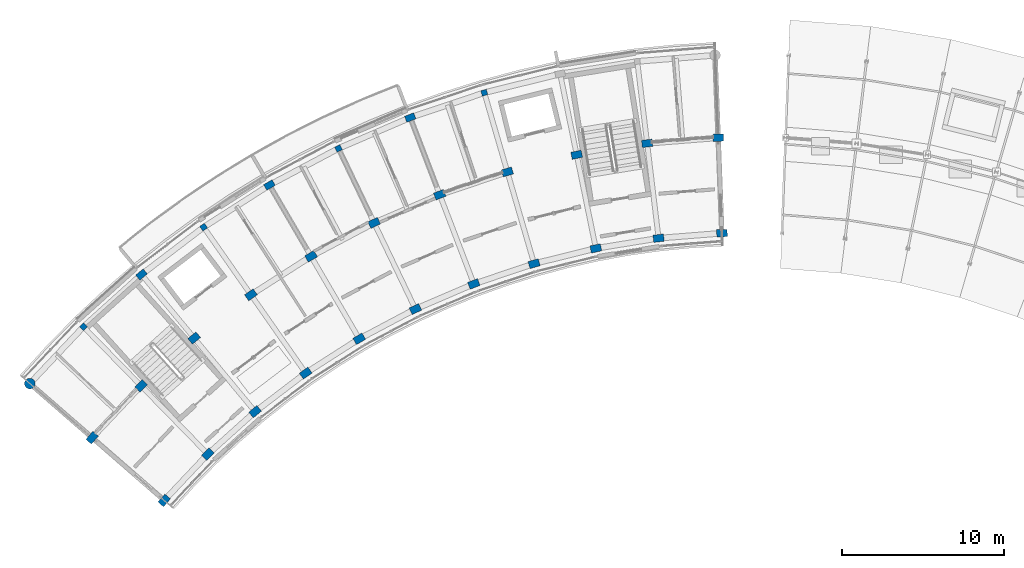
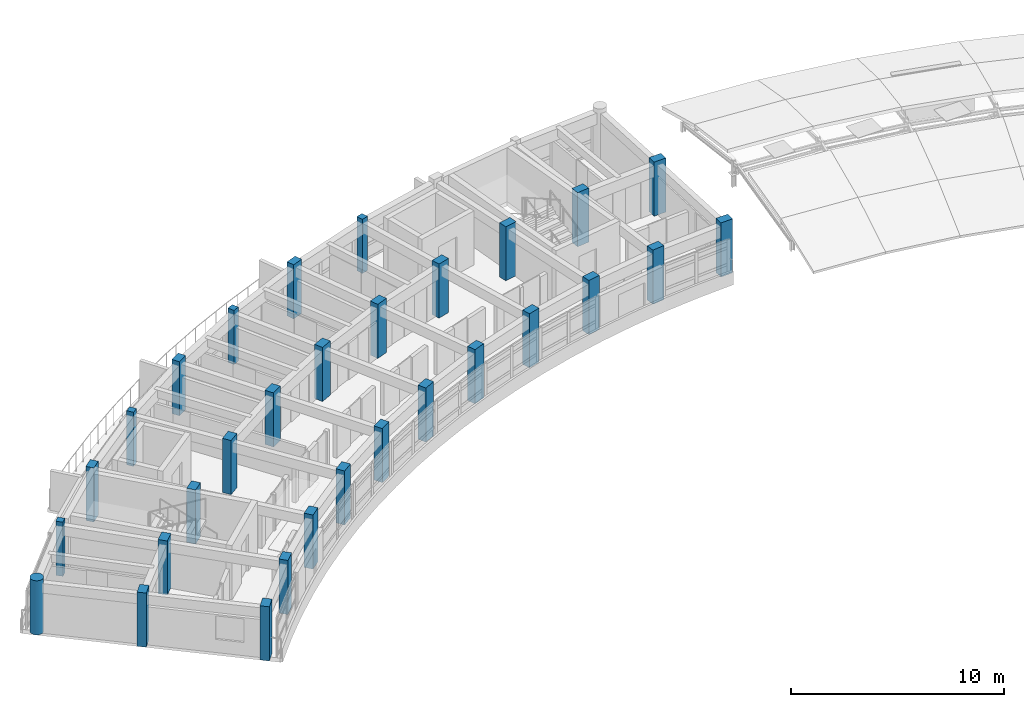
# One storey, part 1 of 20: 30 columns.
"""IFC4 building model written with IfcOpenShell, lengths in metres."""

from ifc_helpers import new_model, si_unit, direction, frame, origin, origin_2d, place, context, subcontext, project, spatial, rectangle, circle, extrude, material, material_profile, profile_set, type_object, element, save


model = new_model("IFC4")

# Units and contexts
model_context = context("Model", 3, precision=1e-05, world=origin(), true_north=direction((0.0, 1.0)))
body_context = subcontext(model_context, "Body", "Model", "MODEL_VIEW")
ifc_project = project(units=[si_unit("LENGTHUNIT", "METRE"), si_unit("AREAUNIT", "SQUARE_METRE"), si_unit("VOLUMEUNIT", "CUBIC_METRE"), si_unit("PLANEANGLEUNIT", "RADIAN"), si_unit("MASSUNIT", "GRAM", prefix="KILO")], contexts=[model_context])

# Site, building, storey
site_placement = place(None, origin())
site = spatial("IfcSite", under=ifc_project, at=site_placement, CompositionType="ELEMENT")
building_placement = place(site_placement, origin())
building = spatial("IfcBuilding", under=site, at=building_placement, Name="Zimvara Arc Housing Community", CompositionType="ELEMENT")
storey_placement = place(building_placement, frame((0.0, 0.0, 39.10009765625)))
storey = spatial("IfcBuildingStorey", under=building, at=storey_placement, Name="L12", CompositionType="ELEMENT", Elevation=39.10009765625)

# Columns
ifc_material_1 = material(Name="Concrete C40/50", Category="concrete")
ifc_material_profile_1 = material_profile(ifc_material_1, rectangle(XDim=0.35009765625, YDim=0.35009765625, at=origin_2d()), Name="RC 350x350")
ifc_profile_set_1 = profile_set([ifc_material_profile_1], Name="Concrete C40/50")
column_type_1 = type_object("IfcColumnType", Name="COL-RC-350x350", PredefinedType="COLUMN", material=ifc_profile_set_1)
for number, where, z_axis, x_axis, name in (
    (1, (3.862548828125, 86.625732421875, 0.0), (0.0, 0.0, 1.0), (-0.698665066769, 0.715448897181, 0.0), "col:blkA:L12:b1:r3"),
    (2, (11.261474609375, 92.755126953125, 0.0), (0.0, 0.0, 1.0), (-0.573004420611, 0.819552276527, 0.0), "col:blkA:L12:b3:r3"),
    (3, (19.558837890625, 97.599853515625, 0.0), (0.0, 0.0, 1.0), (-0.432085748802, 0.901832526405, 0.0), "col:blkA:L12:b5:r3"),
    (4, (28.533447265625, 101.030517578125, 0.0), (0.0, 0.0, 1.0), (-0.27966144946, 0.96009867914, 0.0), "col:blkA:L12:b7:r3"),
):
    element("IfcColumn", number, at=place(storey_placement, frame(where, z_axis=z_axis, x_axis=x_axis)), inside=storey, type_object=column_type_1, Name=name, PredefinedType="COLUMN", context=body_context, shape_type="SweptSolid", body=[
        extrude(rectangle(XDim=0.35009765625, YDim=0.35009765625, at=origin_2d()), origin(), (0.0, 0.0, 1.0), 3.099853515625),
    ])
ifc_material_2 = material(Name="Concrete C40/50", Category="concrete")
ifc_material_profile_2 = material_profile(ifc_material_2, rectangle(XDim=0.39990234375, YDim=0.60009765625, at=origin_2d()), Name="RC 400x600")
ifc_profile_set_2 = profile_set([ifc_material_profile_2], Name="Concrete C40/50")
column_type_2 = type_object("IfcColumnType", Name="COL-RC-400x600", PredefinedType="COLUMN", material=ifc_profile_set_2)
for number, where, z_axis, x_axis, name in (
    (5, (7.436767578125, 89.841552734375, 0.0), (0.0, 0.0, 1.0), (-0.637961754089, 0.770068049148, 0.0), "col:blkA:L12:b2:r3"),
    (6, (15.311279296875, 95.34716796875, 0.0), (0.0, 0.0, 1.0), (-0.504226211181, 0.863571611366, 0.0), "col:blkA:L12:b4:r3"),
    (7, (23.97607421875, 99.49853515625, 0.0), (0.0, 0.0, 1.0), (-0.357064076459, 0.934079892355, 0.0), "col:blkA:L12:b6:r3"),
):
    element("IfcColumn", number, at=place(storey_placement, frame(where, z_axis=z_axis, x_axis=x_axis)), inside=storey, type_object=column_type_2, Name=name, PredefinedType="COLUMN", context=body_context, shape_type="SweptSolid", body=[
        extrude(rectangle(XDim=0.39990234375, YDim=0.60009765625, at=origin_2d()), origin(), (0.0, 0.0, 1.0), 3.099853515625),
    ])
ifc_material_3 = material(Name="Concrete C40/50", Category="concrete")
ifc_material_profile_3 = material_profile(ifc_material_3, rectangle(XDim=0.449951171875, YDim=0.64990234375, at=origin_2d()), Name="RC 450x650")
ifc_profile_set_3 = profile_set([ifc_material_profile_3], Name="Concrete C40/50")
column_type_3 = type_object("IfcColumnType", Name="COL-RC-450x650", PredefinedType="COLUMN", material=ifc_profile_set_3)
for number, where, z_axis, x_axis, name in (
    (8, (8.834228515625, 75.938232421875, 0.0), (0.0, 0.0, 1.0), (-0.754709580223, 0.656059028991, 0.0), "col:blkA:L12:b0:r1"),
    (9, (4.396728515625, 79.7958984375, 0.0), (0.0, 0.0, 1.0), (-0.754709580223, 0.656059028991, 0.0), "col:blkA:L12:b0:r2"),
    (10, (11.52001953125, 78.784423828125, 0.0), (0.0, 0.0, 1.0), (-0.698665066769, 0.715448897181, 0.0), "col:blkA:L12:b1:r1"),
    (11, (7.411865234375, 82.9912109375, 0.0), (0.0, 0.0, 1.0), (-0.698665066769, 0.715448897181, 0.0), "col:blkA:L12:b1:r2"),
    (12, (14.428955078125, 81.401611328125, 0.0), (0.0, 0.0, 1.0), (-0.637961754089, 0.770068049148, 0.0), "col:blkA:L12:b2:r1"),
    (13, (10.677734375, 85.9296875, 0.0), (0.0, 0.0, 1.0), (-0.637961754089, 0.770068049148, 0.0), "col:blkA:L12:b2:r2"),
    (14, (17.541748046875, 83.77294921875, 0.0), (0.0, 0.0, 1.0), (-0.573004420611, 0.819552276527, 0.0), "col:blkA:L12:b3:r1"),
    (15, (14.17236328125, 88.591796875, 0.0), (0.0, 0.0, 1.0), (-0.573004420611, 0.819552276527, 0.0), "col:blkA:L12:b3:r2"),
    (16, (20.83740234375, 85.88232421875, 0.0), (0.0, 0.0, 1.0), (-0.504226211181, 0.863571611366, 0.0), "col:blkA:L12:b4:r1"),
    (17, (17.87255859375, 90.960205078125, 0.0), (0.0, 0.0, 1.0), (-0.504226211181, 0.863571611366, 0.0), "col:blkA:L12:b4:r2"),
    (18, (24.29443359375, 87.7158203125, 0.0), (0.0, 0.0, 1.0), (-0.432085748802, 0.901832526405, 0.0), "col:blkA:L12:b5:r1"),
    (19, (21.75390625, 93.0185546875, 0.0), (0.0, 0.0, 1.0), (-0.432085748802, 0.901832526405, 0.0), "col:blkA:L12:b5:r2"),
    (20, (27.889404296875, 89.260986328125, 0.0), (0.0, 0.0, 1.0), (-0.357064076459, 0.934079892355, 0.0), "col:blkA:L12:b6:r1"),
    (21, (25.7900390625, 94.75341796875, 0.0), (0.0, 0.0, 1.0), (-0.357064076459, 0.934079892355, 0.0), "col:blkA:L12:b6:r2"),
    (22, (31.5986328125, 90.5078125, 0.0), (0.0, 0.0, 1.0), (-0.27966144946, 0.96009867914, 0.0), "col:blkA:L12:b7:r1"),
    (23, (29.9541015625, 96.1533203125, 0.0), (0.0, 0.0, 1.0), (-0.27966144946, 0.96009867914, 0.0), "col:blkA:L12:b7:r2"),
    (24, (35.397216796875, 91.447998046875, 0.0), (0.0, 0.0, 1.0), (-0.200393999665, 0.979715389742, 0.0), "col:blkA:L12:b8:r1"),
    (25, (34.21875, 97.208740234375, 0.0), (0.0, 0.0, 1.0), (-0.200393999665, 0.979715389742, 0.0), "col:blkA:L12:b8:r2"),
    (26, (39.259765625, 92.074951171875, 0.0), (0.0, 0.0, 1.0), (-0.119790293837, 0.992799217114, 0.0), "col:blkA:L12:b9:r1"),
    (27, (38.55517578125, 97.91259765625, 0.0), (0.0, 0.0, 1.0), (-0.119790293837, 0.992799217114, 0.0), "col:blkA:L12:b9:r2"),
    (28, (43.160400390625, 92.384765625, 0.0), (0.0, 0.0, 1.0), (-0.038387809088, 0.999262916411, 0.0), "col:blkA:L12:b10:r1"),
    (29, (42.934814453125, 98.26025390625, 0.0), (0.0, 0.0, 1.0), (-0.038387809088, 0.999262916411, 0.0), "col:blkA:L12:b10:r2"),
):
    element("IfcColumn", number, at=place(storey_placement, frame(where, z_axis=z_axis, x_axis=x_axis)), inside=storey, type_object=column_type_3, Name=name, PredefinedType="COLUMN", context=body_context, shape_type="SweptSolid", body=[
        extrude(rectangle(XDim=0.449951171875, YDim=0.64990234375, at=origin_2d()), origin(), (0.0, 0.0, 1.0), 3.099853515625),
    ])
ifc_material_4 = material(Name="Concrete C40/50", Category="concrete")
ifc_material_profile_4 = material_profile(ifc_material_4, circle(Radius=0.324951171875, at=origin_2d()), Name="RC D650")
ifc_profile_set_4 = profile_set([ifc_material_profile_4], Name="Concrete C40/50")
column_type_4 = type_object("IfcColumnType", Name="COL-RC-D600", PredefinedType="COLUMN", material=ifc_profile_set_4)
column_placement = place(storey_placement, frame((0.562744140625, 83.128662109375, 0.0), z_axis=(0.0, 0.0, 1.0), x_axis=(-0.754709580223, 0.656059028991, 0.0)))
element("IfcColumn", 30, at=column_placement, inside=storey, type_object=column_type_4, Name="col:blkA:L12:b0:r3", PredefinedType="COLUMN", context=body_context, shape_type="SweptSolid", body=[
    extrude(circle(Radius=0.324951171875, at=origin_2d()), origin(), (0.0, 0.0, 1.0), 3.099853515625),
])

save(model, "model.ifc")
